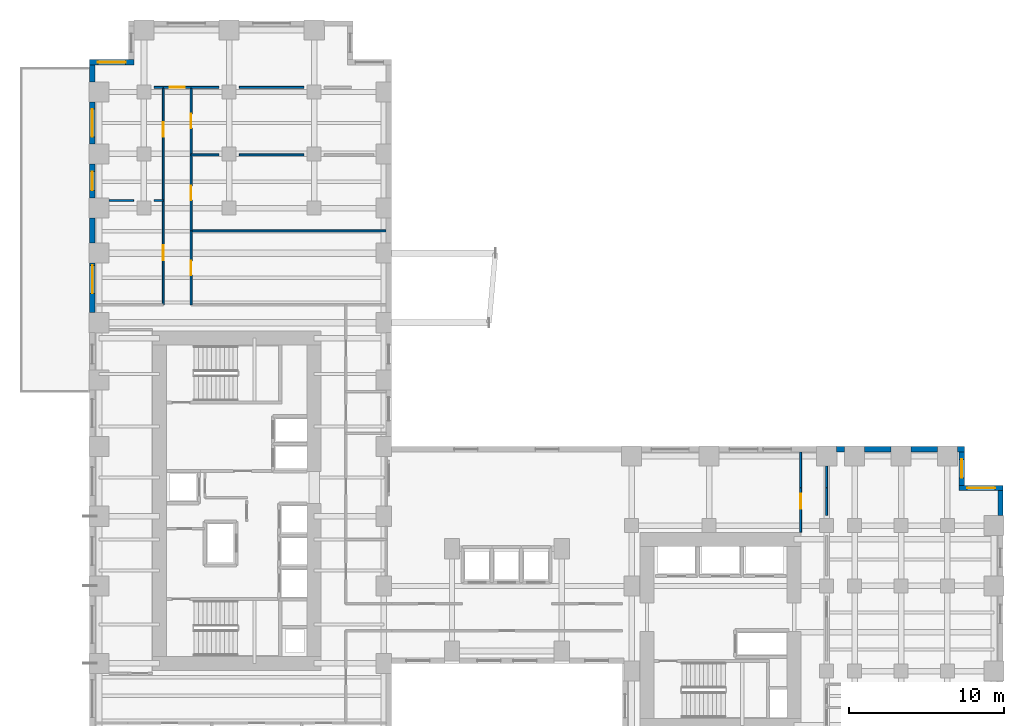
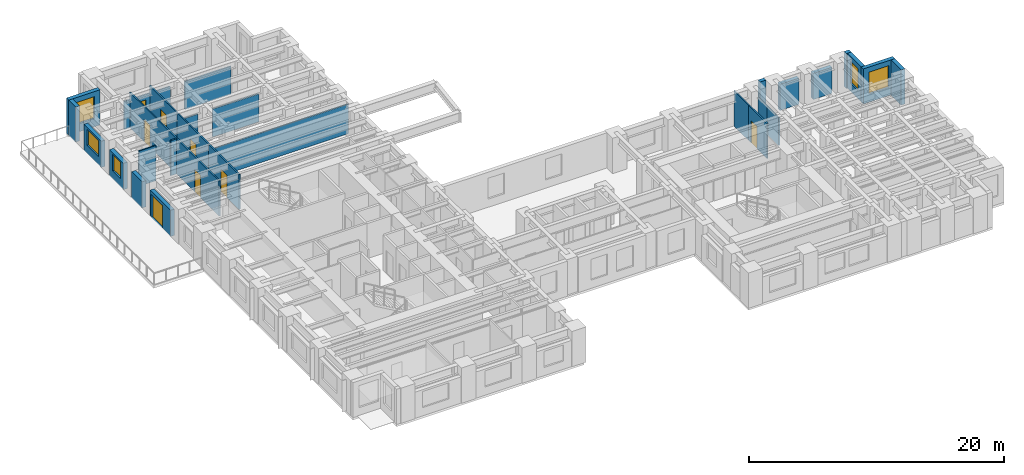
# One storey, part 11 of 15: 31 walls, 8 doors, 5 windows, 13 openings.
"""IFC4 building model written with IfcOpenShell, lengths in metres."""

from ifc_helpers import new_model, si_unit, direction, frame, frame_2d, origin, place, context, subcontext, project, spatial, rectangle, extrude, source, transform, mapped, material, layer, layer_set, type_object, element, fill, save


model = new_model("IFC4")

# Units and contexts
model_context = context("Model", 3, precision=1e-05, world=origin(), true_north=direction((0.0, 1.0)))
body_context = subcontext(model_context, "Body", "Model", "MODEL_VIEW")
ifc_project = project(units=[si_unit("LENGTHUNIT", "METRE"), si_unit("AREAUNIT", "SQUARE_METRE"), si_unit("VOLUMEUNIT", "CUBIC_METRE"), si_unit("PLANEANGLEUNIT", "RADIAN"), si_unit("MASSUNIT", "GRAM", prefix="KILO")], contexts=[model_context])

# Site, building, storey
site_placement = place(None, origin())
site = spatial("IfcSite", under=ifc_project, at=site_placement, CompositionType="ELEMENT")
building_placement = place(site_placement, origin())
building = spatial("IfcBuilding", under=site, at=building_placement, Name="Kharzan Plaza Tower", CompositionType="ELEMENT")
storey_placement = place(building_placement, frame((0.0, 0.0, 22.5)))
storey = spatial("IfcBuildingStorey", under=building, at=storey_placement, Name="L05", CompositionType="ELEMENT", Elevation=22.5)

# Wall, opening, window
ifc_material_1 = material(Name="Concrete C40/50", Category="concrete")
ifc_layer_1 = layer(ifc_material_1, 0.35009765625)
ifc_layer_set_1 = layer_set([ifc_layer_1], Name="Concrete C40/50")
wall_type_1 = type_object("IfcWallType", Name="WL-EXT-MAS-Z1", PredefinedType="SOLIDWALL", material=ifc_layer_set_1)
wall_1_placement = place(storey_placement, frame((2.85009765625, 47.324951171875, 0.0), z_axis=(0.0, 0.0, 1.0), x_axis=(-1.0, 0.0, 0.0)))
wall_1 = element("IfcWall", 1, at=wall_1_placement, inside=storey, type_object=wall_type_1, Name="L05 Masonry-Frame Exterior Wall 08", PredefinedType="SOLIDWALL", context=body_context, shape_type="SweptSolid", body=[
    extrude(rectangle(XDim=2.85009765625, YDim=0.35009765625, at=frame_2d((1.425048828125, 0.0))), origin(), (0.0, 0.0, 1.0), 3.364990234375),
])
opening_1_placement = place(wall_1_placement, frame((0.52490234375, 0.0, 0.780029296875)))
opening_1 = element("IfcOpeningElement", 2, at=opening_1_placement, cuts=wall_1, Name="Opening W1", PredefinedType="OPENING", context=body_context, shape_type="SweptSolid", body=[
    extrude(rectangle(XDim=1.800048828125, YDim=2.10009765625, at=frame_2d((0.89990234375, 1.050048828125))), frame((0.0, 0.18505859375, 0.0), z_axis=(0.0, -1.0, 0.0), x_axis=(1.0, 0.0, 0.0)), (0.0, 0.0, 1.0), 0.3701171875),
])
ifc_material_2 = material(Name="Low-E Double Glazing", Category="glass")
window_type_1 = type_object("IfcWindowType", Name="WN-REC-1800x2100", PartitioningType="SINGLE_PANEL", PredefinedType="WINDOW", material=ifc_material_2)
shared_shape_1 = source(origin(), body_context, "Body", "SweptSolid", [
    extrude(rectangle(XDim=1.800048828125, YDim=2.10009765625, at=frame_2d((0.89990234375, 1.050048828125))), frame((0.0, 0.030029296875, 0.0), z_axis=(0.0, -1.0, 0.0), x_axis=(1.0, 0.0, 0.0)), (0.0, 0.0, 1.0), 0.06005859375),
])
window_1_placement = place(opening_1_placement, origin())
window_1 = element("IfcWindow", 3, at=window_1_placement, inside=storey, type_object=window_type_1, Name="L05 Recessed Solar-Control Window 08-1", OverallHeight=2.10009765625, OverallWidth=1.800048828125, PartitioningType="SINGLE_PANEL", PredefinedType="WINDOW", context=body_context, shape_type="MappedRepresentation", body=[
    mapped(shared_shape_1, transform((0.0, 0.0, 0.0), x_axis=(1.0, 0.0, 0.0), y_axis=(0.0, 1.0, 0.0), z_axis=(0.0, 0.0, 1.0))),
])
fill(opening_1, window_1)

wall_2_placement = place(storey_placement, frame((0.175048828125, 44.751953125, 0.0), z_axis=(0.0, 0.0, 1.0), x_axis=(0.0, -1.0, 0.0)))
wall_2 = element("IfcWall", 4, at=wall_2_placement, inside=storey, type_object=wall_type_1, Name="L05 Masonry-Frame Exterior Wall 10", PredefinedType="SOLIDWALL", context=body_context, shape_type="SweptSolid", body=[
    extrude(rectangle(XDim=2.703857421875, YDim=0.35009765625, at=frame_2d((1.35205078125, 0.0))), origin(), (0.0, 0.0, 1.0), 2.510009765625),
])
opening_2_placement = place(wall_2_placement, frame((0.451904296875, 0.0, 0.780029296875)))
opening_2 = element("IfcOpeningElement", 5, at=opening_2_placement, cuts=wall_2, Name="Opening W1", PredefinedType="OPENING", context=body_context, shape_type="SweptSolid", body=[
    extrude(rectangle(XDim=1.800048828125, YDim=1.550048828125, at=frame_2d((0.89990234375, 0.77490234375))), frame((0.0, 0.18505859375, 0.0), z_axis=(0.0, -1.0, 0.0), x_axis=(1.0, 0.0, 0.0)), (0.0, 0.0, 1.0), 0.3701171875),
])
shared_shape_2 = source(origin(), body_context, "Body", "SweptSolid", [
    extrude(rectangle(XDim=1.800048828125, YDim=1.550048828125, at=frame_2d((0.89990234375, 0.77490234375))), frame((0.0, 0.030029296875, 0.0), z_axis=(0.0, -1.0, 0.0), x_axis=(1.0, 0.0, 0.0)), (0.0, 0.0, 1.0), 0.06005859375),
])
window_2_placement = place(opening_2_placement, origin())
window_2 = element("IfcWindow", 6, at=window_2_placement, inside=storey, type_object=window_type_1, Name="L05 Recessed Solar-Control Window 10-1", OverallHeight=1.550048828125, OverallWidth=1.800048828125, PartitioningType="SINGLE_PANEL", PredefinedType="WINDOW", context=body_context, shape_type="MappedRepresentation", body=[
    mapped(shared_shape_2, transform((0.0, 0.0, 0.0), x_axis=(1.0, 0.0, 0.0), y_axis=(0.0, 1.0, 0.0), z_axis=(0.0, 0.0, 1.0))),
])
fill(opening_2, window_2)

wall_3_placement = place(storey_placement, frame((0.175048828125, 40.751953125, 0.0), z_axis=(0.0, 0.0, 1.0), x_axis=(0.0, -1.0, 0.0)))
wall_3 = element("IfcWall", 7, at=wall_3_placement, inside=storey, type_object=wall_type_1, Name="L05 Masonry-Frame Exterior Wall 11", PredefinedType="SOLIDWALL", context=body_context, shape_type="SweptSolid", body=[
    extrude(rectangle(XDim=2.203857421875, YDim=0.35009765625, at=frame_2d((1.10205078125, 0.0))), origin(), (0.0, 0.0, 1.0), 2.510009765625),
])
opening_3_placement = place(wall_3_placement, frame((0.501953125, 0.0, 0.780029296875)))
opening_3 = element("IfcOpeningElement", 8, at=opening_3_placement, cuts=wall_3, Name="Opening W3", PredefinedType="OPENING", context=body_context, shape_type="SweptSolid", body=[
    extrude(rectangle(XDim=1.199951171875, YDim=1.550048828125, at=frame_2d((0.60009765625, 0.77490234375))), frame((0.0, 0.18505859375, 0.0), z_axis=(0.0, -1.0, 0.0), x_axis=(1.0, 0.0, 0.0)), (0.0, 0.0, 1.0), 0.3701171875),
])
window_type_2 = type_object("IfcWindowType", Name="WN-REC-1200x2100", PartitioningType="SINGLE_PANEL", PredefinedType="WINDOW", material=ifc_material_2)
shared_shape_3 = source(origin(), body_context, "Body", "SweptSolid", [
    extrude(rectangle(XDim=1.199951171875, YDim=1.550048828125, at=frame_2d((0.60009765625, 0.77490234375))), frame((0.0, 0.030029296875, 0.0), z_axis=(0.0, -1.0, 0.0), x_axis=(1.0, 0.0, 0.0)), (0.0, 0.0, 1.0), 0.06005859375),
])
window_3_placement = place(opening_3_placement, origin())
window_3 = element("IfcWindow", 9, at=window_3_placement, inside=storey, type_object=window_type_2, Name="L05 Recessed Solar-Control Window 11-1", OverallHeight=1.550048828125, OverallWidth=1.199951171875, PartitioningType="SINGLE_PANEL", PredefinedType="WINDOW", context=body_context, shape_type="MappedRepresentation", body=[
    mapped(shared_shape_3, transform((0.0, 0.0, 0.0), x_axis=(1.0, 0.0, 0.0), y_axis=(0.0, 1.0, 0.0), z_axis=(0.0, 0.0, 1.0))),
])
fill(opening_3, window_3)

# Wall, opening, door
wall_4_placement = place(storey_placement, frame((0.175048828125, 34.35205078125, 0.0), z_axis=(0.0, 0.0, 1.0), x_axis=(0.0, -1.0, 0.0)))
wall_4 = element("IfcWall", 10, at=wall_4_placement, inside=storey, type_object=wall_type_1, Name="L05 Masonry-Frame Exterior Wall 13", PredefinedType="SOLIDWALL", context=body_context, shape_type="SweptSolid", body=[
    extrude(rectangle(XDim=3.2041015625, YDim=0.35009765625, at=frame_2d((1.60205078125, 0.0))), origin(), (0.0, 0.0, 1.0), 2.510009765625),
])
opening_4_placement = place(wall_4_placement, frame((0.14990234375, 0.0, 0.0)))
opening_4 = element("IfcOpeningElement", 11, at=opening_4_placement, cuts=wall_4, Name="Opening ED2", PredefinedType="OPENING", context=body_context, shape_type="SweptSolid", body=[
    extrude(rectangle(XDim=1.800048828125, YDim=2.199951171875, at=frame_2d((0.89990234375, 1.10009765625))), frame((0.0, 0.18505859375, 0.0), z_axis=(0.0, -1.0, 0.0), x_axis=(1.0, 0.0, 0.0)), (0.0, 0.0, 1.0), 0.3701171875),
])
ifc_material_3 = material(Name="Thermally Broken Anodized Bronze Aluminium", Category="aluminium")
door_type_1 = type_object("IfcDoorType", Name="DR-EXT-TERR-1800", OperationType="DOUBLE_DOOR_SINGLE_SWING", PredefinedType="DOOR", material=ifc_material_3)
shared_shape_4 = source(origin(), body_context, "Body", "SweptSolid", [
    extrude(rectangle(XDim=1.800048828125, YDim=2.199951171875, at=frame_2d((0.89990234375, 1.10009765625))), frame((0.0, 0.02490234375, 0.0), z_axis=(0.0, -1.0, 0.0), x_axis=(1.0, 0.0, 0.0)), (0.0, 0.0, 1.0), 0.050048828125),
])
door_1_placement = place(opening_4_placement, frame((1.800048828125, 0.0, 0.0), z_axis=(0.0, 0.0, 1.0), x_axis=(-1.0, 0.0, 0.0)))
door_1 = element("IfcDoor", 12, at=door_1_placement, inside=storey, type_object=door_type_1, Name="L05 Walkable Sky-Terrace Access Door", OperationType="DOUBLE_DOOR_SINGLE_SWING", OverallHeight=2.199951171875, OverallWidth=1.800048828125, PredefinedType="DOOR", context=body_context, shape_type="MappedRepresentation", body=[
    mapped(shared_shape_4, transform((0.0, 0.0, 0.0), x_axis=(1.0, 0.0, 0.0), y_axis=(0.0, 1.0, 0.0), z_axis=(0.0, 0.0, 1.0))),
])
fill(opening_4, door_1)

# Wall, opening, window
wall_5_placement = place(storey_placement, frame((59.0, 19.824951171875, 0.0), z_axis=(0.0, 0.0, 1.0), x_axis=(-1.0, 0.0, 0.0)))
wall_5 = element("IfcWall", 13, at=wall_5_placement, inside=storey, type_object=wall_type_1, Name="L05 Masonry-Frame Exterior Wall 45", PredefinedType="SOLIDWALL", context=body_context, shape_type="SweptSolid", body=[
    extrude(rectangle(XDim=2.85009765625, YDim=0.35009765625, at=frame_2d((1.425048828125, 0.0))), origin(), (0.0, 0.0, 1.0), 3.364990234375),
])
opening_5_placement = place(wall_5_placement, frame((0.52490234375, 0.0, 0.780029296875)))
opening_5 = element("IfcOpeningElement", 14, at=opening_5_placement, cuts=wall_5, Name="Opening W1", PredefinedType="OPENING", context=body_context, shape_type="SweptSolid", body=[
    extrude(rectangle(XDim=1.800048828125, YDim=2.10009765625, at=frame_2d((0.89990234375, 1.050048828125))), frame((0.0, 0.18505859375, 0.0), z_axis=(0.0, -1.0, 0.0), x_axis=(1.0, 0.0, 0.0)), (0.0, 0.0, 1.0), 0.3701171875),
])
window_4_placement = place(opening_5_placement, origin())
window_4 = element("IfcWindow", 15, at=window_4_placement, inside=storey, type_object=window_type_1, Name="L05 Recessed Solar-Control Window 45-1", OverallHeight=2.10009765625, OverallWidth=1.800048828125, PartitioningType="SINGLE_PANEL", PredefinedType="WINDOW", context=body_context, shape_type="MappedRepresentation", body=[
    mapped(shared_shape_1, transform((0.0, 0.0, 0.0), x_axis=(1.0, 0.0, 0.0), y_axis=(0.0, 1.0, 0.0), z_axis=(0.0, 0.0, 1.0))),
])
fill(opening_5, window_4)

wall_6_placement = place(storey_placement, frame((56.324951171875, 19.998046875, 0.0), z_axis=(0.0, 0.0, 1.0), x_axis=(0.0, 1.0, 0.0)))
wall_6 = element("IfcWall", 16, at=wall_6_placement, inside=storey, type_object=wall_type_1, Name="L05 Masonry-Frame Exterior Wall 46", PredefinedType="SOLIDWALL", context=body_context, shape_type="SweptSolid", body=[
    extrude(rectangle(XDim=2.154052734375, YDim=0.35009765625, at=frame_2d((1.0771484375, 0.0))), origin(), (0.0, 0.0, 1.0), 3.364990234375),
])
opening_6_placement = place(wall_6_placement, frame((0.47705078125, 0.0, 0.780029296875)))
opening_6 = element("IfcOpeningElement", 17, at=opening_6_placement, cuts=wall_6, Name="Opening W3", PredefinedType="OPENING", context=body_context, shape_type="SweptSolid", body=[
    extrude(rectangle(XDim=1.199951171875, YDim=2.10009765625, at=frame_2d((0.60009765625, 1.050048828125))), frame((0.0, 0.18505859375, 0.0), z_axis=(0.0, -1.0, 0.0), x_axis=(1.0, 0.0, 0.0)), (0.0, 0.0, 1.0), 0.3701171875),
])
shared_shape_5 = source(origin(), body_context, "Body", "SweptSolid", [
    extrude(rectangle(XDim=1.199951171875, YDim=2.10009765625, at=frame_2d((0.60009765625, 1.050048828125))), frame((0.0, 0.030029296875, 0.0), z_axis=(0.0, -1.0, 0.0), x_axis=(1.0, 0.0, 0.0)), (0.0, 0.0, 1.0), 0.06005859375),
])
window_5_placement = place(opening_6_placement, origin())
window_5 = element("IfcWindow", 18, at=window_5_placement, inside=storey, type_object=window_type_2, Name="L05 Recessed Solar-Control Window 46-1", OverallHeight=2.10009765625, OverallWidth=1.199951171875, PartitioningType="SINGLE_PANEL", PredefinedType="WINDOW", context=body_context, shape_type="MappedRepresentation", body=[
    mapped(shared_shape_5, transform((0.0, 0.0, 0.0), x_axis=(1.0, 0.0, 0.0), y_axis=(0.0, 1.0, 0.0), z_axis=(0.0, 0.0, 1.0))),
])
fill(opening_6, window_5)

# Wall, opening, door
ifc_material_4 = material(Name="Fire-Rated Gypsum Board Partition", Category="gypsum")
ifc_layer_2 = layer(ifc_material_4, 0.125)
ifc_layer_set_2 = layer_set([ifc_layer_2], Name="Fire-Rated Gypsum Board Partition")
wall_type_2 = type_object("IfcWallType", Name="WL-INT-PART-125", PredefinedType="PARTITIONING", material=ifc_layer_set_2)
wall_7_placement = place(storey_placement, frame((45.919921875, 16.97998046875, 0.0), z_axis=(0.0, 0.0, 1.0), x_axis=(0.0, 1.0, 0.0)))
wall_7 = element("IfcWall", 19, at=wall_7_placement, inside=storey, type_object=wall_type_2, Name="L05 Interior Partition SH-RBNE", PredefinedType="PARTITIONING", context=body_context, shape_type="SweptSolid", body=[
    extrude(rectangle(XDim=2.8701171875, YDim=0.125, at=frame_2d((1.43505859375, 0.0))), origin(), (0.0, 0.0, 1.0), 3.364990234375),
])
opening_7_placement = place(wall_7_placement, frame((1.51708984375, 0.0, 0.0)))
opening_7 = element("IfcOpeningElement", 20, at=opening_7_placement, cuts=wall_7, Name="Opening OD1", PredefinedType="OPENING", context=body_context, shape_type="SweptSolid", body=[
    extrude(rectangle(XDim=0.949951171875, YDim=2.14990234375, at=frame_2d((0.47509765625, 1.074951171875))), frame((0.0, 0.072509765625, 0.0), z_axis=(0.0, -1.0, 0.0), x_axis=(1.0, 0.0, 0.0)), (0.0, 0.0, 1.0), 0.14501953125),
])
ifc_material_5 = material(Name="Acoustic Solid-Core Stained Oak", Category="timber")
door_type_2 = type_object("IfcDoorType", Name="DR-OFF-SINGLE", OperationType="NOTDEFINED", PredefinedType="DOOR", material=ifc_material_5)
shared_shape_6 = source(origin(), body_context, "Body", "SweptSolid", [
    extrude(rectangle(XDim=0.949951171875, YDim=2.14990234375, at=frame_2d((0.47509765625, 1.074951171875))), frame((0.0, 0.02490234375, 0.0), z_axis=(0.0, -1.0, 0.0), x_axis=(1.0, 0.0, 0.0)), (0.0, 0.0, 1.0), 0.050048828125),
])
door_2_placement = place(opening_7_placement, origin())
door_2 = element("IfcDoor", 21, at=door_2_placement, inside=storey, type_object=door_type_2, Name="L05 Wing B North Studio Door", OperationType="SINGLE_SWING_LEFT", OverallHeight=2.14990234375, OverallWidth=0.949951171875, PredefinedType="DOOR", context=body_context, shape_type="MappedRepresentation", body=[
    mapped(shared_shape_6, transform((0.0, 0.0, 0.0), x_axis=(1.0, 0.0, 0.0), y_axis=(0.0, 1.0, 0.0), z_axis=(0.0, 0.0, 1.0))),
])
fill(opening_7, door_2)

wall_8_placement = place(storey_placement, frame((6.550048828125, 31.64990234375, 0.0), z_axis=(0.0, 0.0, 1.0), x_axis=(0.0, 1.0, 0.0)))
wall_8 = element("IfcWall", 22, at=wall_8_placement, inside=storey, type_object=wall_type_2, Name="L05 Interior Partition SH-SPE-1", PredefinedType="PARTITIONING", context=body_context, shape_type="SweptSolid", body=[
    extrude(rectangle(XDim=4.777099609375, YDim=0.125, at=frame_2d((2.388671875, 0.0))), origin(), (0.0, 0.0, 1.0), 3.364990234375),
])
opening_8_placement = place(wall_8_placement, frame((1.91357421875, 0.0, 0.0)))
opening_8 = element("IfcOpeningElement", 23, at=opening_8_placement, cuts=wall_8, Name="Opening OD1", PredefinedType="OPENING", context=body_context, shape_type="SweptSolid", body=[
    extrude(rectangle(XDim=0.949951171875, YDim=2.14990234375, at=frame_2d((0.47509765625, 1.074951171875))), frame((0.0, 0.072509765625, 0.0), z_axis=(0.0, -1.0, 0.0), x_axis=(1.0, 0.0, 0.0)), (0.0, 0.0, 1.0), 0.14501953125),
])
door_3_placement = place(opening_8_placement, origin())
door_3 = element("IfcDoor", 24, at=door_3_placement, inside=storey, type_object=door_type_2, Name="L05 Design Collaboration Office Door", OperationType="SINGLE_SWING_RIGHT", OverallHeight=2.14990234375, OverallWidth=0.949951171875, PredefinedType="DOOR", context=body_context, shape_type="MappedRepresentation", body=[
    mapped(shared_shape_6, transform((0.0, 0.0, 0.0), x_axis=(1.0, 0.0, 0.0), y_axis=(0.0, 1.0, 0.0), z_axis=(0.0, 0.0, 1.0))),
])
fill(opening_8, door_3)

wall_9_placement = place(storey_placement, frame((6.550048828125, 36.427001953125, 0.0), z_axis=(0.0, 0.0, 1.0), x_axis=(0.0, 1.0, 0.0)))
wall_9 = element("IfcWall", 25, at=wall_9_placement, inside=storey, type_object=wall_type_2, Name="L05 Interior Partition SH-SPE-2", PredefinedType="PARTITIONING", context=body_context, shape_type="SweptSolid", body=[
    extrude(rectangle(XDim=4.9169921875, YDim=0.125, at=frame_2d((2.45849609375, 0.0))), origin(), (0.0, 0.0, 1.0), 3.364990234375),
])
opening_9_placement = place(wall_9_placement, frame((1.9833984375, 0.0, 0.0)))
opening_9 = element("IfcOpeningElement", 26, at=opening_9_placement, cuts=wall_9, Name="Opening OD1", PredefinedType="OPENING", context=body_context, shape_type="SweptSolid", body=[
    extrude(rectangle(XDim=0.949951171875, YDim=2.14990234375, at=frame_2d((0.47509765625, 1.074951171875))), frame((0.0, 0.072509765625, 0.0), z_axis=(0.0, -1.0, 0.0), x_axis=(1.0, 0.0, 0.0)), (0.0, 0.0, 1.0), 0.14501953125),
])
door_4_placement = place(opening_9_placement, origin())
door_4 = element("IfcDoor", 27, at=door_4_placement, inside=storey, type_object=door_type_2, Name="L05 Systems Planning Office Door", OperationType="SINGLE_SWING_LEFT", OverallHeight=2.14990234375, OverallWidth=0.949951171875, PredefinedType="DOOR", context=body_context, shape_type="MappedRepresentation", body=[
    mapped(shared_shape_6, transform((0.0, 0.0, 0.0), x_axis=(1.0, 0.0, 0.0), y_axis=(0.0, 1.0, 0.0), z_axis=(0.0, 0.0, 1.0))),
])
fill(opening_9, door_4)

wall_10_placement = place(storey_placement, frame((6.550048828125, 41.343994140625, 0.0), z_axis=(0.0, 0.0, 1.0), x_axis=(0.0, 1.0, 0.0)))
wall_10 = element("IfcWall", 28, at=wall_10_placement, inside=storey, type_object=wall_type_2, Name="L05 Interior Partition SH-SPE-3", PredefinedType="PARTITIONING", context=body_context, shape_type="SweptSolid", body=[
    extrude(rectangle(XDim=4.35595703125, YDim=0.125, at=frame_2d((2.177978515625, 0.0))), origin(), (0.0, 0.0, 1.0), 3.364990234375),
])
opening_10_placement = place(wall_10_placement, frame((1.702880859375, 0.0, 0.0)))
opening_10 = element("IfcOpeningElement", 29, at=opening_10_placement, cuts=wall_10, Name="Opening OD1", PredefinedType="OPENING", context=body_context, shape_type="SweptSolid", body=[
    extrude(rectangle(XDim=0.949951171875, YDim=2.14990234375, at=frame_2d((0.47509765625, 1.074951171875))), frame((0.0, 0.072509765625, 0.0), z_axis=(0.0, -1.0, 0.0), x_axis=(1.0, 0.0, 0.0)), (0.0, 0.0, 1.0), 0.14501953125),
])
door_5_placement = place(opening_10_placement, origin())
door_5 = element("IfcDoor", 30, at=door_5_placement, inside=storey, type_object=door_type_2, Name="L05 Open Office Workspace Door", OperationType="SINGLE_SWING_RIGHT", OverallHeight=2.14990234375, OverallWidth=0.949951171875, PredefinedType="DOOR", context=body_context, shape_type="MappedRepresentation", body=[
    mapped(shared_shape_6, transform((0.0, 0.0, 0.0), x_axis=(1.0, 0.0, 0.0), y_axis=(0.0, 1.0, 0.0), z_axis=(0.0, 0.0, 1.0))),
])
fill(opening_10, door_5)

wall_11_placement = place(storey_placement, frame((4.75, 45.699951171875, 0.0), z_axis=(0.0, 0.0, 1.0), x_axis=(1.0, 0.0, 0.0)))
wall_11 = element("IfcWall", 31, at=wall_11_placement, inside=storey, type_object=wall_type_2, Name="L05 Interior Partition SH-SPHD", PredefinedType="PARTITIONING", context=body_context, shape_type="SweptSolid", body=[
    extrude(rectangle(XDim=1.800048828125, YDim=0.125, at=frame_2d((0.89990234375, 0.0))), origin(), (0.0, 0.0, 1.0), 2.669921875),
])
opening_11_placement = place(wall_11_placement, frame((0.425048828125, 0.0, 0.0)))
opening_11 = element("IfcOpeningElement", 32, at=opening_11_placement, cuts=wall_11, Name="Opening OD1", PredefinedType="OPENING", context=body_context, shape_type="SweptSolid", body=[
    extrude(rectangle(XDim=0.949951171875, YDim=2.14990234375, at=frame_2d((0.47509765625, 1.074951171875))), frame((0.0, 0.072509765625, 0.0), z_axis=(0.0, -1.0, 0.0), x_axis=(1.0, 0.0, 0.0)), (0.0, 0.0, 1.0), 0.14501953125),
])
door_6_placement = place(opening_11_placement, origin())
door_6 = element("IfcDoor", 33, at=door_6_placement, inside=storey, type_object=door_type_2, Name="L05 North Boardroom Door", OperationType="SINGLE_SWING_LEFT", OverallHeight=2.14990234375, OverallWidth=0.949951171875, PredefinedType="DOOR", context=body_context, shape_type="MappedRepresentation", body=[
    mapped(shared_shape_6, transform((0.0, 0.0, 0.0), x_axis=(1.0, 0.0, 0.0), y_axis=(0.0, 1.0, 0.0), z_axis=(0.0, 0.0, 1.0))),
])
fill(opening_11, door_6)

wall_12_placement = place(storey_placement, frame((4.75, 31.64990234375, 0.0), z_axis=(0.0, 0.0, 1.0), x_axis=(0.0, 1.0, 0.0)))
wall_12 = element("IfcWall", 34, at=wall_12_placement, inside=storey, type_object=wall_type_2, Name="L05 Interior Partition SH-SPW-1", PredefinedType="PARTITIONING", context=body_context, shape_type="SweptSolid", body=[
    extrude(rectangle(XDim=6.744140625, YDim=0.125, at=frame_2d((3.3720703125, 0.0))), origin(), (0.0, 0.0, 1.0), 3.364990234375),
])
opening_12_placement = place(wall_12_placement, frame((2.89697265625, 0.0, 0.0)))
opening_12 = element("IfcOpeningElement", 35, at=opening_12_placement, cuts=wall_12, Name="Opening OD1", PredefinedType="OPENING", context=body_context, shape_type="SweptSolid", body=[
    extrude(rectangle(XDim=0.949951171875, YDim=2.14990234375, at=frame_2d((0.47509765625, 1.074951171875))), frame((0.0, 0.072509765625, 0.0), z_axis=(0.0, -1.0, 0.0), x_axis=(1.0, 0.0, 0.0)), (0.0, 0.0, 1.0), 0.14501953125),
])
door_7_placement = place(opening_12_placement, origin())
door_7 = element("IfcDoor", 36, at=door_7_placement, inside=storey, type_object=door_type_2, Name="L05 Client Briefing Room Door", OperationType="SINGLE_SWING_RIGHT", OverallHeight=2.14990234375, OverallWidth=0.949951171875, PredefinedType="DOOR", context=body_context, shape_type="MappedRepresentation", body=[
    mapped(shared_shape_6, transform((0.0, 0.0, 0.0), x_axis=(1.0, 0.0, 0.0), y_axis=(0.0, 1.0, 0.0), z_axis=(0.0, 0.0, 1.0))),
])
fill(opening_12, door_7)

wall_13_placement = place(storey_placement, frame((4.75, 38.39404296875, 0.0), z_axis=(0.0, 0.0, 1.0), x_axis=(0.0, 1.0, 0.0)))
wall_13 = element("IfcWall", 37, at=wall_13_placement, inside=storey, type_object=wall_type_2, Name="L05 Interior Partition SH-SPW-2", PredefinedType="PARTITIONING", context=body_context, shape_type="SweptSolid", body=[
    extrude(rectangle(XDim=7.305908203125, YDim=0.125, at=frame_2d((3.65283203125, 0.0))), origin(), (0.0, 0.0, 1.0), 3.364990234375),
])
opening_13_placement = place(wall_13_placement, frame((4.1083984375, 0.0, 0.0)))
opening_13 = element("IfcOpeningElement", 38, at=opening_13_placement, cuts=wall_13, Name="Opening OD1", PredefinedType="OPENING", context=body_context, shape_type="SweptSolid", body=[
    extrude(rectangle(XDim=0.949951171875, YDim=2.14990234375, at=frame_2d((0.47509765625, 1.074951171875))), frame((0.0, 0.072509765625, 0.0), z_axis=(0.0, -1.0, 0.0), x_axis=(1.0, 0.0, 0.0)), (0.0, 0.0, 1.0), 0.14501953125),
])
door_8_placement = place(opening_13_placement, origin())
door_8 = element("IfcDoor", 39, at=door_8_placement, inside=storey, type_object=door_type_2, Name="L05 Executive Boardroom Door", OperationType="SINGLE_SWING_RIGHT", OverallHeight=2.14990234375, OverallWidth=0.949951171875, PredefinedType="DOOR", context=body_context, shape_type="MappedRepresentation", body=[
    mapped(shared_shape_6, transform((0.0, 0.0, 0.0), x_axis=(1.0, 0.0, 0.0), y_axis=(0.0, 1.0, 0.0), z_axis=(0.0, 0.0, 1.0))),
])
fill(opening_13, door_8)

# Walls
shared_shape_7 = source(origin(), body_context, "Body", "SweptSolid", [
    extrude(rectangle(XDim=1.10400390625, YDim=0.35009765625, at=frame_2d((0.552001953125, 0.0))), origin(), (0.0, 0.0, 1.0), 3.364990234375),
])
wall_14_placement = place(storey_placement, frame((0.175048828125, 47.152099609375, 0.0), z_axis=(0.0, 0.0, 1.0), x_axis=(0.0, -1.0, 0.0)))
element("IfcWall", 40, at=wall_14_placement, inside=storey, type_object=wall_type_1, Name="L05 Masonry-Frame Exterior Wall 09", PredefinedType="SOLIDWALL", context=body_context, shape_type="MappedRepresentation", body=[
    mapped(shared_shape_7, transform((0.0, 0.0, 0.0), x_axis=(1.0, 0.0, 0.0), y_axis=(0.0, 1.0, 0.0), z_axis=(0.0, 0.0, 1.0))),
])
shared_shape_8 = source(origin(), body_context, "Body", "SweptSolid", [
    extrude(rectangle(XDim=1.60400390625, YDim=0.35009765625, at=frame_2d((0.802001953125, 0.0))), origin(), (0.0, 0.0, 1.0), 2.510009765625),
])
wall_15_placement = place(storey_placement, frame((0.175048828125, 37.251953125, 0.0), z_axis=(0.0, 0.0, 1.0), x_axis=(0.0, -1.0, 0.0)))
element("IfcWall", 41, at=wall_15_placement, inside=storey, type_object=wall_type_1, Name="L05 Masonry-Frame Exterior Wall 12", PredefinedType="SOLIDWALL", context=body_context, shape_type="MappedRepresentation", body=[
    mapped(shared_shape_8, transform((0.0, 0.0, 0.0), x_axis=(1.0, 0.0, 0.0), y_axis=(0.0, 1.0, 0.0), z_axis=(0.0, 0.0, 1.0))),
])
shared_shape_9 = source(origin(), body_context, "Body", "SweptSolid", [
    extrude(rectangle(XDim=0.50390625, YDim=0.35009765625, at=frame_2d((0.251953125, 0.0))), origin(), (0.0, 0.0, 1.0), 3.364990234375),
])
wall_16_placement = place(storey_placement, frame((48.751953125, 22.324951171875, 0.0), z_axis=(0.0, 0.0, 1.0), x_axis=(-1.0, 0.0, 0.0)))
element("IfcWall", 42, at=wall_16_placement, inside=storey, type_object=wall_type_1, Name="L05 Masonry-Frame Exterior Wall 50", PredefinedType="SOLIDWALL", context=body_context, shape_type="MappedRepresentation", body=[
    mapped(shared_shape_9, transform((0.0, 0.0, 0.0), x_axis=(1.0, 0.0, 0.0), y_axis=(0.0, 1.0, 0.0), z_axis=(0.0, 0.0, 1.0))),
])
shared_shape_10 = source(origin(), body_context, "Body", "SweptSolid", [
    extrude(rectangle(XDim=1.703857421875, YDim=0.35009765625, at=frame_2d((0.85205078125, 0.0))), origin(), (0.0, 0.0, 1.0), 2.510009765625),
])
for number, where, z_axis, x_axis, name in (
    (43, (54.751953125, 22.324951171875, 0.0), (0.0, 0.0, 1.0), (-1.0, 0.0, 0.0), "L05 Masonry-Frame Exterior Wall 48"),
    (44, (51.751953125, 22.324951171875, 0.0), (0.0, 0.0, 1.0), (-1.0, 0.0, 0.0), "L05 Masonry-Frame Exterior Wall 49"),
):
    element("IfcWall", number, at=place(storey_placement, frame(where, z_axis=z_axis, x_axis=x_axis)), inside=storey, type_object=wall_type_1, Name=name, PredefinedType="SOLIDWALL", context=body_context, shape_type="MappedRepresentation", body=[
        mapped(shared_shape_10, transform((0.0, 0.0, 0.0), x_axis=(1.0, 0.0, 0.0), y_axis=(0.0, 1.0, 0.0), z_axis=(0.0, 0.0, 1.0))),
    ])
shared_shape_11 = source(origin(), body_context, "Body", "SweptSolid", [
    extrude(rectangle(XDim=0.451904296875, YDim=0.35009765625, at=frame_2d((0.22607421875, 0.0))), origin(), (0.0, 0.0, 1.0), 3.364990234375),
])
wall_17_placement = place(storey_placement, frame((56.5, 22.324951171875, 0.0), z_axis=(0.0, 0.0, 1.0), x_axis=(-1.0, 0.0, 0.0)))
element("IfcWall", 45, at=wall_17_placement, inside=storey, type_object=wall_type_1, Name="L05 Masonry-Frame Exterior Wall 47", PredefinedType="SOLIDWALL", context=body_context, shape_type="MappedRepresentation", body=[
    mapped(shared_shape_11, transform((0.0, 0.0, 0.0), x_axis=(1.0, 0.0, 0.0), y_axis=(0.0, 1.0, 0.0), z_axis=(0.0, 0.0, 1.0))),
])
shared_shape_12 = source(origin(), body_context, "Body", "SweptSolid", [
    extrude(rectangle(XDim=1.60400390625, YDim=0.35009765625, at=frame_2d((0.802001953125, 0.0))), origin(), (0.0, 0.0, 1.0), 3.364990234375),
])
wall_18_placement = place(storey_placement, frame((58.824951171875, 18.048095703125, 0.0), z_axis=(0.0, 0.0, 1.0), x_axis=(0.0, 1.0, 0.0)))
element("IfcWall", 46, at=wall_18_placement, inside=storey, type_object=wall_type_1, Name="L05 Masonry-Frame Exterior Wall 44", PredefinedType="SOLIDWALL", context=body_context, shape_type="MappedRepresentation", body=[
    mapped(shared_shape_12, transform((0.0, 0.0, 0.0), x_axis=(1.0, 0.0, 0.0), y_axis=(0.0, 1.0, 0.0), z_axis=(0.0, 0.0, 1.0))),
])
shared_shape_13 = source(origin(), body_context, "Body", "SweptSolid", [
    extrude(rectangle(XDim=1.7900390625, YDim=0.125, at=frame_2d((0.89501953125, 0.0))), origin(), (0.0, 0.0, 1.0), 2.669921875),
])
for number, where, z_axis, x_axis, name in (
    (47, (47.60009765625, 18.06005859375, 0.0), (0.0, 0.0, 1.0), (0.0, 1.0, 0.0), "L05 Interior Partition SH-B0W1-S3"),
    (48, (6.550048828125, 41.343994140625, 0.0), (0.0, 0.0, 1.0), (1.0, 0.0, 0.0), "L05 Interior Partition SH-NEH-2-S1"),
    (49, (6.550048828125, 45.699951171875, 0.0), (0.0, 0.0, 1.0), (1.0, 0.0, 0.0), "L05 Interior Partition SH-SPHE-S1"),
):
    element("IfcWall", number, at=place(storey_placement, frame(where, z_axis=z_axis, x_axis=x_axis)), inside=storey, type_object=wall_type_2, Name=name, PredefinedType="PARTITIONING", context=body_context, shape_type="MappedRepresentation", body=[
        mapped(shared_shape_13, transform((0.0, 0.0, 0.0), x_axis=(1.0, 0.0, 0.0), y_axis=(0.0, 1.0, 0.0), z_axis=(0.0, 0.0, 1.0))),
    ])
shared_shape_14 = source(origin(), body_context, "Body", "SweptSolid", [
    extrude(rectangle(XDim=1.389892578125, YDim=0.125, at=frame_2d((0.69482421875, 0.0))), origin(), (0.0, 0.0, 1.0), 2.669921875),
])
wall_19_placement = place(storey_placement, frame((47.60009765625, 19.85009765625, 0.0), z_axis=(0.0, 0.0, 1.0), x_axis=(0.0, 1.0, 0.0)))
element("IfcWall", 50, at=wall_19_placement, inside=storey, type_object=wall_type_2, Name="L05 Interior Partition SH-B0W1N", PredefinedType="PARTITIONING", context=body_context, shape_type="MappedRepresentation", body=[
    mapped(shared_shape_14, transform((0.0, 0.0, 0.0), x_axis=(1.0, 0.0, 0.0), y_axis=(0.0, 1.0, 0.0), z_axis=(0.0, 0.0, 1.0))),
])
shared_shape_15 = source(origin(), body_context, "Body", "SweptSolid", [
    extrude(rectangle(XDim=12.597900390625, YDim=0.125, at=frame_2d((6.298828125, 0.0))), origin(), (0.0, 0.0, 1.0), 2.827880859375),
])
wall_20_placement = place(storey_placement, frame((6.550048828125, 36.427001953125, 0.0), z_axis=(0.0, 0.0, 1.0), x_axis=(1.0, 0.0, 0.0)))
element("IfcWall", 51, at=wall_20_placement, inside=storey, type_object=wall_type_2, Name="L05 Interior Partition SH-NEH-1", PredefinedType="PARTITIONING", context=body_context, shape_type="MappedRepresentation", body=[
    mapped(shared_shape_15, transform((0.0, 0.0, 0.0), x_axis=(1.0, 0.0, 0.0), y_axis=(0.0, 1.0, 0.0), z_axis=(0.0, 0.0, 1.0))),
])
shared_shape_16 = source(origin(), body_context, "Body", "SweptSolid", [
    extrude(rectangle(XDim=4.18017578125, YDim=0.125, at=frame_2d((2.090087890625, 0.0))), origin(), (0.0, 0.0, 1.0), 2.669921875),
])
for number, where, z_axis, x_axis, name in (
    (52, (9.659912109375, 41.343994140625, 0.0), (0.0, 0.0, 1.0), (1.0, 0.0, 0.0), "L05 Interior Partition SH-NEH-2-S2"),
    (53, (9.659912109375, 45.699951171875, 0.0), (0.0, 0.0, 1.0), (1.0, 0.0, 0.0), "L05 Interior Partition SH-SPHE-S2"),
):
    element("IfcWall", number, at=place(storey_placement, frame(where, z_axis=z_axis, x_axis=x_axis)), inside=storey, type_object=wall_type_2, Name=name, PredefinedType="PARTITIONING", context=body_context, shape_type="MappedRepresentation", body=[
        mapped(shared_shape_16, transform((0.0, 0.0, 0.0), x_axis=(1.0, 0.0, 0.0), y_axis=(0.0, 1.0, 0.0), z_axis=(0.0, 0.0, 1.0))),
    ])
shared_shape_17 = source(origin(), body_context, "Body", "SweptSolid", [
    extrude(rectangle(XDim=1.580078125, YDim=0.125, at=frame_2d((0.7900390625, 0.0))), origin(), (0.0, 0.0, 1.0), 3.364990234375),
])
wall_21_placement = place(storey_placement, frame((1.260009765625, 38.39404296875, 0.0), z_axis=(0.0, 0.0, 1.0), x_axis=(1.0, 0.0, 0.0)))
element("IfcWall", 54, at=wall_21_placement, inside=storey, type_object=wall_type_2, Name="L05 Interior Partition SH-NWH-1-S1", PredefinedType="PARTITIONING", context=body_context, shape_type="MappedRepresentation", body=[
    mapped(shared_shape_17, transform((0.0, 0.0, 0.0), x_axis=(1.0, 0.0, 0.0), y_axis=(0.0, 1.0, 0.0), z_axis=(0.0, 0.0, 1.0))),
])
shared_shape_18 = source(origin(), body_context, "Body", "SweptSolid", [
    extrude(rectangle(XDim=0.590087890625, YDim=0.125, at=frame_2d((0.294921875, 0.0))), origin(), (0.0, 0.0, 1.0), 3.364990234375),
])
wall_22_placement = place(storey_placement, frame((4.159912109375, 38.39404296875, 0.0), z_axis=(0.0, 0.0, 1.0), x_axis=(1.0, 0.0, 0.0)))
element("IfcWall", 55, at=wall_22_placement, inside=storey, type_object=wall_type_2, Name="L05 Interior Partition SH-NWH-1-S2", PredefinedType="PARTITIONING", context=body_context, shape_type="MappedRepresentation", body=[
    mapped(shared_shape_18, transform((0.0, 0.0, 0.0), x_axis=(1.0, 0.0, 0.0), y_axis=(0.0, 1.0, 0.0), z_axis=(0.0, 0.0, 1.0))),
])
shared_shape_19 = source(origin(), body_context, "Body", "SweptSolid", [
    extrude(rectangle(XDim=2.2978515625, YDim=0.125, at=frame_2d((1.14892578125, 0.0))), origin(), (0.0, 0.0, 1.0), 3.364990234375),
])
wall_23_placement = place(storey_placement, frame((45.919921875, 19.85009765625, 0.0), z_axis=(0.0, 0.0, 1.0), x_axis=(0.0, 1.0, 0.0)))
element("IfcWall", 56, at=wall_23_placement, inside=storey, type_object=wall_type_2, Name="L05 Interior Partition SH-RBNE0", PredefinedType="PARTITIONING", context=body_context, shape_type="MappedRepresentation", body=[
    mapped(shared_shape_19, transform((0.0, 0.0, 0.0), x_axis=(1.0, 0.0, 0.0), y_axis=(0.0, 1.0, 0.0), z_axis=(0.0, 0.0, 1.0))),
])
shared_shape_20 = source(origin(), body_context, "Body", "SweptSolid", [
    extrude(rectangle(XDim=0.590087890625, YDim=0.125, at=frame_2d((0.294921875, 0.0))), origin(), (0.0, 0.0, 1.0), 2.669921875),
])
wall_24_placement = place(storey_placement, frame((4.159912109375, 45.699951171875, 0.0), z_axis=(0.0, 0.0, 1.0), x_axis=(1.0, 0.0, 0.0)))
element("IfcWall", 57, at=wall_24_placement, inside=storey, type_object=wall_type_2, Name="L05 Interior Partition SH-SPHW", PredefinedType="PARTITIONING", context=body_context, shape_type="MappedRepresentation", body=[
    mapped(shared_shape_20, transform((0.0, 0.0, 0.0), x_axis=(1.0, 0.0, 0.0), y_axis=(0.0, 1.0, 0.0), z_axis=(0.0, 0.0, 1.0))),
])

save(model, "model.ifc")
